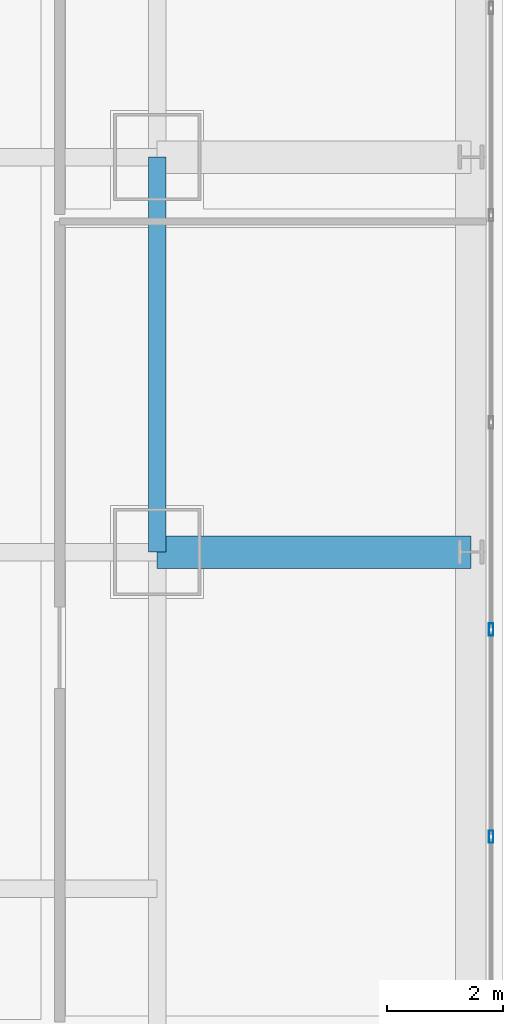
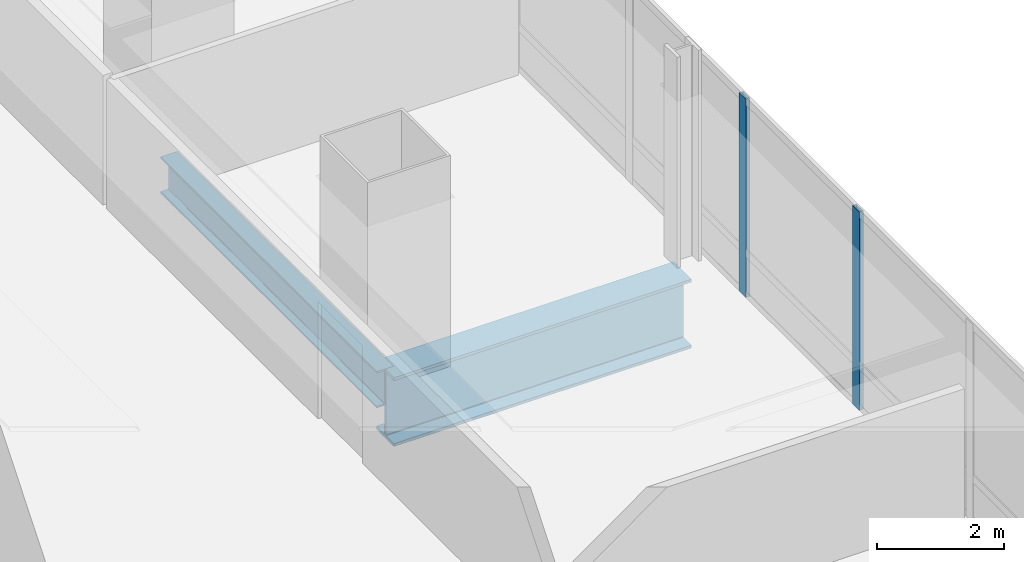
# One storey, part 15 of 34: 2 beams, 2 members, 1 element without a shape of its own.
"""IFC4 building model written with IfcOpenShell, lengths in metres."""

from ifc_helpers import new_model, si_unit, direction, frame, origin, origin_2d, place, context, subcontext, project, spatial, hollow_rectangle, i_section, extrude, material, material_profile, profile_set, type_object, element, aggregate, save


model = new_model("IFC4")

# Units and contexts
model_context = context("Model", 3, precision=1e-05, world=origin(), true_north=direction((0.0, 1.0)))
body_context = subcontext(model_context, "Body", "Model", "MODEL_VIEW")
ifc_project = project(units=[si_unit("LENGTHUNIT", "METRE"), si_unit("AREAUNIT", "SQUARE_METRE"), si_unit("VOLUMEUNIT", "CUBIC_METRE"), si_unit("PLANEANGLEUNIT", "RADIAN"), si_unit("MASSUNIT", "GRAM", prefix="KILO")], contexts=[model_context])

# Site, building, storey
site_placement = place(None, origin())
site = spatial("IfcSite", under=ifc_project, at=site_placement, CompositionType="ELEMENT")
building_placement = place(site_placement, origin())
building = spatial("IfcBuilding", under=site, at=building_placement, Name="Punatoya Terracotta Tower", CompositionType="ELEMENT")
storey_placement = place(building_placement, frame((0.0, 0.0, 105.14990234375)))
storey = spatial("IfcBuildingStorey", under=building, at=storey_placement, Name="L24", CompositionType="ELEMENT", Elevation=105.14990234375)

# Beams
ifc_material_1 = material(Name="Steel S355", Category="steel")
ifc_material_profile_1 = material_profile(ifc_material_1, i_section(OverallWidth=0.300048828125, OverallDepth=0.699951171875, WebThickness=0.01708984375, FlangeThickness=0.031982421875, FilletRadius=0.01806640625, at=origin_2d()))
ifc_profile_set_1 = profile_set([ifc_material_profile_1], Name="Steel S355")
beam_type_1 = type_object("IfcBeamType", Name="BM-PRI-700", PredefinedType="BEAM", material=ifc_profile_set_1)
beam_1_placement = place(storey_placement, frame((19.10009765625, -3.39990234375, -0.58984375), z_axis=(0.0, 1.0, 0.0), x_axis=(-1.0, 0.0, 0.0)))
element("IfcBeam", 1, at=beam_1_placement, inside=storey, type_object=beam_type_1, Name="BM-L24-RG-E2", PredefinedType="BEAM", context=body_context, shape_type="SweptSolid", body=[
    extrude(i_section(OverallWidth=0.300048828125, OverallDepth=0.699951171875, WebThickness=0.01708984375, FlangeThickness=0.031982421875, FilletRadius=0.01806640625, at=origin_2d()), origin(), (0.0, 0.0, 1.0), 6.7998046875),
])
ifc_material_2 = material(Name="Steel S460", Category="steel")
ifc_material_profile_2 = material_profile(ifc_material_2, i_section(OverallWidth=0.56005859375, OverallDepth=1.320068359375, WebThickness=0.035888671875, FlangeThickness=0.054931640625, FilletRadius=0.01806640625, at=origin_2d()))
ifc_profile_set_2 = profile_set([ifc_material_profile_2], Name="Steel S460")
beam_type_2 = type_object("IfcBeamType", Name="BM-TG-BLK", PredefinedType="BEAM", material=ifc_profile_set_2)
beam_2_placement = place(storey_placement, frame((19.10009765625, -3.39990234375, -0.89990234375), z_axis=(1.0, 0.0, 0.0), x_axis=(0.0, 1.0, 0.0)))
element("IfcBeam", 2, at=beam_2_placement, inside=storey, type_object=beam_type_2, Name="BM-L24-CANT-E2", PredefinedType="BEAM", context=body_context, shape_type="SweptSolid", body=[
    extrude(i_section(OverallWidth=0.56005859375, OverallDepth=1.320068359375, WebThickness=0.035888671875, FlangeThickness=0.054931640625, FilletRadius=0.01806640625, at=origin_2d()), origin(), (0.0, 0.0, 1.0), 5.39990234375),
])

# Curtain wall, members
ifc_material_3 = material(Name="Aluminium 6063-T6 + Double Low-E Glass", Category="aluminium")
curtain_wall_type = type_object("IfcCurtainWallType", Name="CW-M1", PredefinedType="NOTDEFINED", material=ifc_material_3)
curtain_wall_placement = place(storey_placement, origin())
curtain_wall = element("IfcCurtainWall", 3, at=curtain_wall_placement, inside=storey, type_object=curtain_wall_type, Name="L24 Curtain Wall CW-L24-E05-1", PredefinedType="NOTDEFINED")
ifc_material_4 = material(Name="Aluminium 6063-T6", Category="aluminium")
ifc_material_profile_3 = material_profile(ifc_material_4, hollow_rectangle(XDim=0.074951171875, YDim=0.2099609375, WallThickness=0.00439453125, at=origin_2d()))
ifc_profile_set_3 = profile_set([ifc_material_profile_3], Name="Aluminium 6063-T6")
member_type = type_object("IfcMemberType", Name="CW-MUL-M1", PredefinedType="MULLION", material=ifc_profile_set_3)
member_1_placement = place(storey_placement, frame((24.85009765625, -8.302001953125, 0.0), z_axis=(0.0, 0.0, 1.0), x_axis=(1.0, 0.0, 0.0)))
member_1 = element("IfcMember", 4, at=member_1_placement, type_object=member_type, Name="CW-L24-E05-1 Mullion 02", PredefinedType="MULLION", context=body_context, shape_type="SweptSolid", body=[
    extrude(hollow_rectangle(XDim=0.074951171875, YDim=0.2099609375, WallThickness=0.00439453125, at=origin_2d()), origin(), (0.0, 0.0, 1.0), 3.81005859375),
])
member_2_placement = place(storey_placement, frame((24.85009765625, -4.73486328125, 0.0), z_axis=(0.0, 0.0, 1.0), x_axis=(1.0, 0.0, 0.0)))
member_2 = element("IfcMember", 5, at=member_2_placement, type_object=member_type, Name="CW-L24-E05-1 Mullion 03", PredefinedType="MULLION", context=body_context, shape_type="SweptSolid", body=[
    extrude(hollow_rectangle(XDim=0.074951171875, YDim=0.2099609375, WallThickness=0.00439453125, at=origin_2d()), origin(), (0.0, 0.0, 1.0), 3.81005859375),
])
aggregate(curtain_wall, [member_1, member_2])

save(model, "model.ifc")
